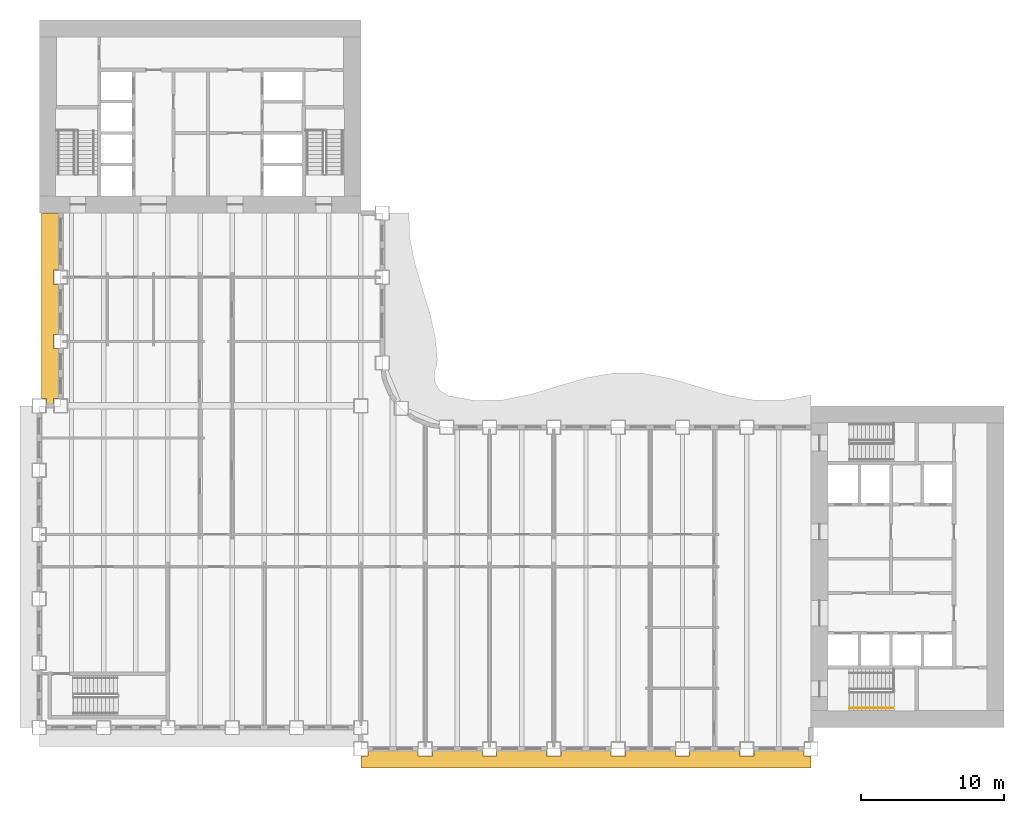
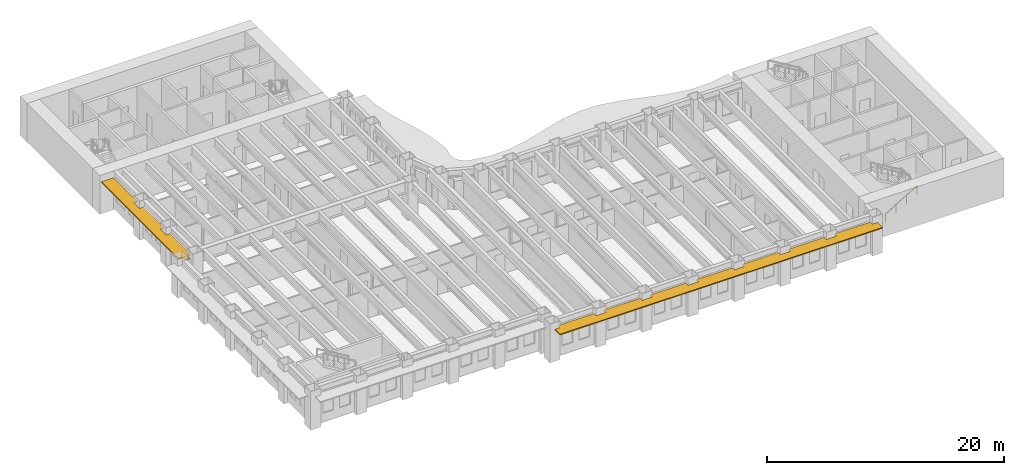
# One storey, part 12 of 16: 2 shading devices, 1 railing.
"""IFC4 building model written with IfcOpenShell, lengths in metres."""

from ifc_helpers import new_model, si_unit, direction, frame, origin, origin_2d, place, context, subcontext, project, spatial, polyline, rectangle, outline, extrude, material, layer, layer_set, type_object, element, save


model = new_model("IFC4")

# Units and contexts
model_context = context("Model", 3, precision=1e-05, world=origin(), true_north=direction((0.0, 1.0)))
body_context = subcontext(model_context, "Body", "Model", "MODEL_VIEW")
ifc_project = project(units=[si_unit("LENGTHUNIT", "METRE"), si_unit("AREAUNIT", "SQUARE_METRE"), si_unit("VOLUMEUNIT", "CUBIC_METRE"), si_unit("PLANEANGLEUNIT", "RADIAN"), si_unit("MASSUNIT", "GRAM", prefix="KILO")], contexts=[model_context])

# Site, building, storey
site_placement = place(None, origin())
site = spatial("IfcSite", under=ifc_project, at=site_placement, CompositionType="ELEMENT")
building_placement = place(site_placement, origin())
building = spatial("IfcBuilding", under=site, at=building_placement, Name="Sennacour Bend Tower", CompositionType="ELEMENT")
storey_placement = place(building_placement, frame((0.0, 0.0, 83.0)))
storey = spatial("IfcBuildingStorey", under=building, at=storey_placement, Name="L18", CompositionType="ELEMENT", Elevation=83.0)

# Railing
ifc_material_1 = material(Name="Stainless steel", Category="steel")
railing_type = type_object("IfcRailingType", Name="RL-HANDRAIL-900", PredefinedType="HANDRAIL", material=ifc_material_1)
railing_placement = place(storey_placement, frame((56.699951171875, 1.35009765625, 0.166748046875)))
element("IfcRailing", 1, at=railing_placement, inside=storey, type_object=railing_type, Name="L18 SA1 stair handrail 1", PredefinedType="HANDRAIL", context=body_context, shape_type="SweptSolid", body=[
    extrude(rectangle(XDim=0.048095703125, YDim=0.048095703125, at=origin_2d()), frame((0.0, 0.0, 0.8759765625), z_axis=(0.859308565015, 0.0, 0.511457515432), x_axis=(0.0, 1.0, 0.0)), (0.0, 0.0, 1.0), 3.58447265625),
    extrude(rectangle(XDim=0.0419921875, YDim=0.0419921875, at=origin_2d()), origin(), (0.0, 0.0, 1.0), 0.851806640625),
    extrude(rectangle(XDim=0.0419921875, YDim=0.0419921875, at=origin_2d()), frame((1.026611328125, 0.0, 0.611083984375)), (0.0, 0.0, 1.0), 0.851806640625),
    extrude(rectangle(XDim=0.0419921875, YDim=0.0419921875, at=origin_2d()), frame((2.053466796875, 0.0, 1.22216796875)), (0.0, 0.0, 1.0), 0.851806640625),
    extrude(rectangle(XDim=0.0419921875, YDim=0.0419921875, at=origin_2d()), frame((3.080078125, 0.0, 1.833251953125)), (0.0, 0.0, 1.0), 0.851806640625),
])

# Shading devices
ifc_material_2 = material(Name="Bronze anodised aluminium", Category="aluminium")
ifc_layer = layer(ifc_material_2, 0.10009765625, Name="Bronze anodised aluminium", Category="aluminium")
ifc_layer_set = layer_set([ifc_layer], Name="Bronze anodised aluminium")
shading_device_type = type_object("IfcShadingDeviceType", Name="SUNSHADE BAND STRAIGHT", PredefinedType="USERDEFINED", material=ifc_layer_set)
shading_device_1_placement = place(storey_placement, frame((0.0, 0.0, 3.053955078125)))
element("IfcShadingDevice", 2, at=shading_device_1_placement, inside=storey, type_object=shading_device_type, Name="Sunshade band L18 A outer face", ObjectType="SUNSHADE", PredefinedType="USERDEFINED", context=body_context, shape_type="SweptSolid", body=[
    extrude(outline(polyline([(26.5, -1.64990234375), (26.5, -2.0), (27.5, -2.0), (27.5, -1.64990234375), (31.0, -1.64990234375), (31.0, -2.0), (32.0, -2.0), (32.0, -1.64990234375), (35.5, -1.64990234375), (35.5, -2.0), (36.5, -2.0), (36.5, -1.64990234375), (40.0, -1.64990234375), (40.0, -2.0), (41.0, -2.0), (41.0, -1.64990234375), (44.5, -1.64990234375), (44.5, -2.0), (45.5, -2.0), (45.5, -1.64990234375), (49.0, -1.64990234375), (49.0, -2.0), (50.0, -2.0), (50.0, -1.64990234375), (53.5, -1.64990234375), (53.5, -2.0), (54.0, -2.0), (54.0, -2.85009765625), (22.5, -2.85009765625), (22.5, -2.0), (23.0, -2.0), (23.0, -1.64990234375), (26.5, -1.64990234375)])), origin(), (0.0, 0.0, 1.0), 0.10009765625),
])
shading_device_2_placement = place(storey_placement, frame((0.0, 0.0, 3.053955078125)))
element("IfcShadingDevice", 3, at=shading_device_2_placement, inside=storey, type_object=shading_device_type, Name="Sunshade band L18 B outer face", ObjectType="SUNSHADE", PredefinedType="USERDEFINED", context=body_context, shape_type="SweptSolid", body=[
    extrude(outline(polyline([(1.35009765625, 32.0), (1.0, 32.0), (1.0, 31.0), (1.35009765625, 31.0), (1.35009765625, 27.5), (1.0, 27.5), (1.0, 26.5), (1.35009765625, 26.5), (1.35009765625, 23.0), (1.0, 23.0), (1.0, 22.5), (0.5, 22.5), (0.5, 23.0), (0.14990234375, 23.0), (0.14990234375, 36.0), (1.35009765625, 36.0), (1.35009765625, 32.0)])), origin(), (0.0, 0.0, 1.0), 0.10009765625),
])

save(model, "model.ifc")
